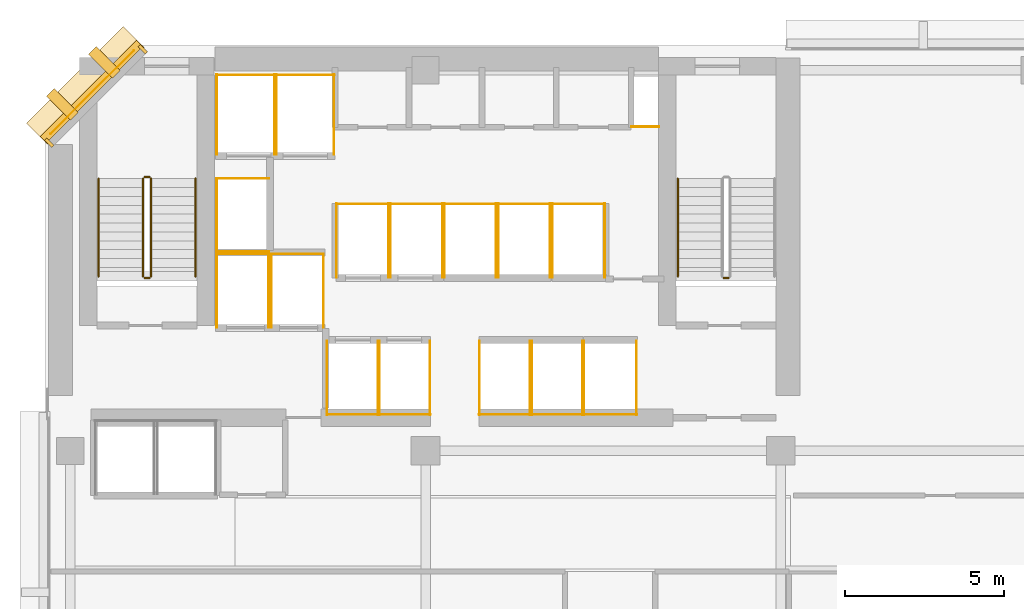
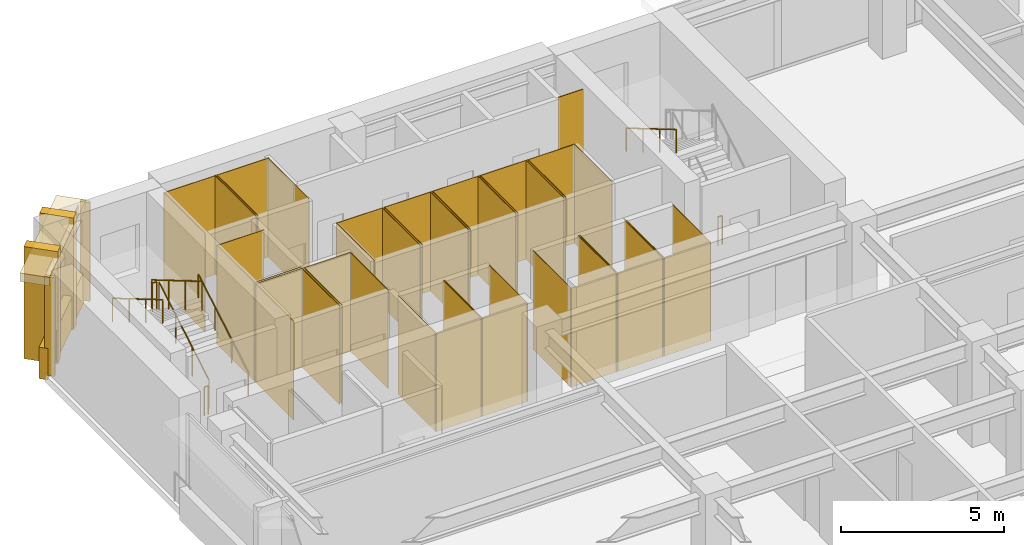
# One storey, part 10 of 12: 53 coverings, 8 railings.
"""IFC4 building model written with IfcOpenShell, lengths in metres."""

from ifc_helpers import new_model, si_unit, direction, frame, origin, origin_2d, place, context, subcontext, project, spatial, polyline, rectangle, circle, outline, extrude, material, layer, layer_set, type_object, element, save


model = new_model("IFC4")

# Units and contexts
model_context = context("Model", 3, precision=1e-05, world=origin(), true_north=direction((0.0, 1.0)))
body_context = subcontext(model_context, "Body", "Model", "MODEL_VIEW")
ifc_project = project(units=[si_unit("LENGTHUNIT", "METRE"), si_unit("AREAUNIT", "SQUARE_METRE"), si_unit("VOLUMEUNIT", "CUBIC_METRE"), si_unit("PLANEANGLEUNIT", "RADIAN"), si_unit("MASSUNIT", "GRAM", prefix="KILO")], contexts=[model_context])

# Site, building, storey
site_placement = place(None, origin())
site = spatial("IfcSite", under=ifc_project, at=site_placement, CompositionType="ELEMENT")
building_placement = place(site_placement, origin())
building = spatial("IfcBuilding", under=site, at=building_placement, Name="Kefirva Bronze Tower", CompositionType="ELEMENT")
storey_placement = place(building_placement, frame((0.0, 0.0, 118.469970703125)))
storey = spatial("IfcBuildingStorey", under=building, at=storey_placement, Name="L28", CompositionType="ELEMENT", Elevation=118.469970703125)

# Coverings
ifc_material_1 = material(Name="Bronze anodised aluminium", Category="aluminium")
ifc_layer_1 = layer(ifc_material_1, 0.02001953125, Name="Bronze anodised aluminium")
ifc_layer_set_1 = layer_set([ifc_layer_1], Name="Bronze anodised aluminium")
covering_type_1 = type_object("IfcCoveringType", Name="Anodised Bronze Spandrel Cladding 20mm", PredefinedType="CLADDING", material=ifc_layer_set_1)
covering_1_placement = place(storey_placement, frame((1.492919921875, 44.507080078125, 3.2900390625), z_axis=(0.0, 0.0, 1.0), x_axis=(-0.707106781187, -0.707106781187, 0.0)))
element("IfcCovering", 1, at=covering_1_placement, inside=storey, type_object=covering_type_1, Name="L28 Bronze Spandrel Cladding 8", PredefinedType="CLADDING", context=body_context, shape_type="SweptSolid", body=[
    extrude(rectangle(XDim=3.719482421875, YDim=0.02001953125, at=origin_2d()), origin(), (0.0, 0.0, 1.0), 0.39990234375),
])
for number, where, z_axis, x_axis, name in (
    (2, (3.08837890625, 45.862060546875, 0.0), (0.0, 0.0, 1.0), (-0.707106781187, -0.707106781187, 0.0), "L28 Facade Joint Closure Panel 8S"),
    (3, (0.137939453125, 42.91162109375, 0.0), (0.0, 0.0, 1.0), (-0.707106781187, -0.707106781187, 0.0), "L28 Facade Joint Closure Panel 8E"),
):
    element("IfcCovering", number, at=place(storey_placement, frame(where, z_axis=z_axis, x_axis=x_axis)), inside=storey, type_object=covering_type_1, Name=name, PredefinedType="CLADDING", context=body_context, shape_type="SweptSolid", body=[
        extrude(rectangle(XDim=0.10009765625, YDim=0.320068359375, at=origin_2d()), origin(), (0.0, 0.0, 1.0), 3.7099609375),
    ])
covering_2_placement = place(storey_placement, frame((1.4716796875, 44.5283203125, -0.16015625), z_axis=(0.0, 0.0, 1.0), x_axis=(-0.707106781187, -0.707106781187, 0.0)))
element("IfcCovering", 4, at=covering_2_placement, inside=storey, type_object=covering_type_1, Name="L28 Streamline Horizontal Spandrel Band 13", PredefinedType="CLADDING", context=body_context, shape_type="SweptSolid", body=[
    extrude(rectangle(XDim=4.28271484375, YDim=0.280029296875, at=origin_2d()), origin(), (0.0, 0.0, 1.0), 1.179931640625),
])
covering_3_placement = place(storey_placement, origin())
element("IfcCovering", 5, at=covering_3_placement, inside=storey, type_object=covering_type_1, Name="L28 Lift FF1 Hoistway Liner N", PredefinedType="CLADDING", context=body_context, shape_type="SweptSolid", body=[
    extrude(outline(polyline([(5.39990234375, 39.389892578125), (7.080078125, 39.389892578125), (7.080078125, 39.409912109375), (5.39990234375, 39.409912109375), (5.39990234375, 39.389892578125)])), origin(), (0.0, 0.0, 1.0), 3.7099609375),
])
covering_4_placement = place(storey_placement, origin())
element("IfcCovering", 6, at=covering_4_placement, inside=storey, type_object=covering_type_1, Name="L28 Lift FF1 Hoistway Liner W", PredefinedType="CLADDING", context=body_context, shape_type="SweptSolid", body=[
    extrude(outline(polyline([(5.409912109375, 37.080078125), (5.429931640625, 37.080078125), (5.429931640625, 39.419921875), (5.409912109375, 39.419921875), (5.409912109375, 37.080078125)])), origin(), (0.0, 0.0, 1.0), 3.7099609375),
])
covering_5_placement = place(storey_placement, origin())
element("IfcCovering", 7, at=covering_5_placement, inside=storey, type_object=covering_type_1, Name="L28 Lift FF1 Hoistway Liner E", PredefinedType="CLADDING", context=body_context, shape_type="SweptSolid", body=[
    extrude(outline(polyline([(7.050048828125, 37.080078125), (7.070068359375, 37.080078125), (7.070068359375, 39.419921875), (7.050048828125, 39.419921875), (7.050048828125, 37.080078125)])), origin(), (0.0, 0.0, 1.0), 3.7099609375),
])
covering_6_placement = place(storey_placement, origin())
element("IfcCovering", 8, at=covering_6_placement, inside=storey, type_object=covering_type_1, Name="L28 Lift FF2 Hoistway Liner N", PredefinedType="CLADDING", context=body_context, shape_type="SweptSolid", body=[
    extrude(outline(polyline([(7.1201171875, 39.389892578125), (8.800048828125, 39.389892578125), (8.800048828125, 39.409912109375), (7.1201171875, 39.409912109375), (7.1201171875, 39.389892578125)])), origin(), (0.0, 0.0, 1.0), 3.7099609375),
])
covering_7_placement = place(storey_placement, origin())
element("IfcCovering", 9, at=covering_7_placement, inside=storey, type_object=covering_type_1, Name="L28 Lift FF2 Hoistway Liner W", PredefinedType="CLADDING", context=body_context, shape_type="SweptSolid", body=[
    extrude(outline(polyline([(7.1298828125, 37.080078125), (7.14990234375, 37.080078125), (7.14990234375, 39.419921875), (7.1298828125, 39.419921875), (7.1298828125, 37.080078125)])), origin(), (0.0, 0.0, 1.0), 3.7099609375),
])
covering_8_placement = place(storey_placement, origin())
element("IfcCovering", 10, at=covering_8_placement, inside=storey, type_object=covering_type_1, Name="L28 Lift FF2 Hoistway Liner E", PredefinedType="CLADDING", context=body_context, shape_type="SweptSolid", body=[
    extrude(outline(polyline([(8.77001953125, 37.080078125), (8.7900390625, 37.080078125), (8.7900390625, 39.419921875), (8.77001953125, 39.419921875), (8.77001953125, 37.080078125)])), origin(), (0.0, 0.0, 1.0), 3.7099609375),
])
covering_9_placement = place(storey_placement, origin())
element("IfcCovering", 11, at=covering_9_placement, inside=storey, type_object=covering_type_1, Name="L28 Lift SV1 Hoistway Liner N", PredefinedType="CLADDING", context=body_context, shape_type="SweptSolid", body=[
    extrude(outline(polyline([(5.39990234375, 45.0400390625), (7.260009765625, 45.0400390625), (7.260009765625, 45.06005859375), (5.39990234375, 45.06005859375), (5.39990234375, 45.0400390625)])), origin(), (0.0, 0.0, 1.0), 3.7099609375),
])
covering_10_placement = place(storey_placement, origin())
element("IfcCovering", 12, at=covering_10_placement, inside=storey, type_object=covering_type_1, Name="L28 Lift SV1 Hoistway Liner W", PredefinedType="CLADDING", context=body_context, shape_type="SweptSolid", body=[
    extrude(outline(polyline([(5.409912109375, 42.530029296875), (5.429931640625, 42.530029296875), (5.429931640625, 45.070068359375), (5.409912109375, 45.070068359375), (5.409912109375, 42.530029296875)])), origin(), (0.0, 0.0, 1.0), 3.7099609375),
])
covering_11_placement = place(storey_placement, origin())
element("IfcCovering", 13, at=covering_11_placement, inside=storey, type_object=covering_type_1, Name="L28 Lift SV1 Hoistway Liner E", PredefinedType="CLADDING", context=body_context, shape_type="SweptSolid", body=[
    extrude(outline(polyline([(7.22998046875, 42.530029296875), (7.25, 42.530029296875), (7.25, 45.070068359375), (7.22998046875, 45.070068359375), (7.22998046875, 42.530029296875)])), origin(), (0.0, 0.0, 1.0), 3.7099609375),
])
covering_12_placement = place(storey_placement, origin())
element("IfcCovering", 14, at=covering_12_placement, inside=storey, type_object=covering_type_1, Name="L28 Lift SV2 Hoistway Liner N", PredefinedType="CLADDING", context=body_context, shape_type="SweptSolid", body=[
    extrude(outline(polyline([(7.280029296875, 45.0400390625), (9.139892578125, 45.0400390625), (9.139892578125, 45.06005859375), (7.280029296875, 45.06005859375), (7.280029296875, 45.0400390625)])), origin(), (0.0, 0.0, 1.0), 3.7099609375),
])
covering_13_placement = place(storey_placement, origin())
element("IfcCovering", 15, at=covering_13_placement, inside=storey, type_object=covering_type_1, Name="L28 Lift SV2 Hoistway Liner W", PredefinedType="CLADDING", context=body_context, shape_type="SweptSolid", body=[
    extrude(outline(polyline([(7.2900390625, 42.530029296875), (7.31005859375, 42.530029296875), (7.31005859375, 45.070068359375), (7.2900390625, 45.070068359375), (7.2900390625, 42.530029296875)])), origin(), (0.0, 0.0, 1.0), 3.7099609375),
])
covering_14_placement = place(storey_placement, origin())
element("IfcCovering", 16, at=covering_14_placement, inside=storey, type_object=covering_type_1, Name="L28 Lift SV2 Hoistway Liner E", PredefinedType="CLADDING", context=body_context, shape_type="SweptSolid", body=[
    extrude(outline(polyline([(9.110107421875, 42.530029296875), (9.1298828125, 42.530029296875), (9.1298828125, 45.070068359375), (9.110107421875, 45.070068359375), (9.110107421875, 42.530029296875)])), origin(), (0.0, 0.0, 1.0), 3.7099609375),
])
covering_15_placement = place(storey_placement, origin())
element("IfcCovering", 17, at=covering_15_placement, inside=storey, type_object=covering_type_1, Name="L28 Lift LP1 Hoistway Liner S", PredefinedType="CLADDING", context=body_context, shape_type="SweptSolid", body=[
    extrude(outline(polyline([(8.8798828125, 34.340087890625), (10.52001953125, 34.340087890625), (10.52001953125, 34.360107421875), (8.8798828125, 34.360107421875), (8.8798828125, 34.340087890625)])), origin(), (0.0, 0.0, 1.0), 3.7099609375),
])
covering_16_placement = place(storey_placement, origin())
element("IfcCovering", 18, at=covering_16_placement, inside=storey, type_object=covering_type_1, Name="L28 Lift LP1 Hoistway Liner W", PredefinedType="CLADDING", context=body_context, shape_type="SweptSolid", body=[
    extrude(outline(polyline([(8.889892578125, 34.330078125), (8.909912109375, 34.330078125), (8.909912109375, 36.669921875), (8.889892578125, 36.669921875), (8.889892578125, 34.330078125)])), origin(), (0.0, 0.0, 1.0), 3.7099609375),
])
covering_17_placement = place(storey_placement, origin())
element("IfcCovering", 19, at=covering_17_placement, inside=storey, type_object=covering_type_1, Name="L28 Lift LP1 Hoistway Liner E", PredefinedType="CLADDING", context=body_context, shape_type="SweptSolid", body=[
    extrude(outline(polyline([(10.489990234375, 34.330078125), (10.510009765625, 34.330078125), (10.510009765625, 36.669921875), (10.489990234375, 36.669921875), (10.489990234375, 34.330078125)])), origin(), (0.0, 0.0, 1.0), 3.7099609375),
])
covering_18_placement = place(storey_placement, origin())
element("IfcCovering", 20, at=covering_18_placement, inside=storey, type_object=covering_type_1, Name="L28 Lift LP2 Hoistway Liner S", PredefinedType="CLADDING", context=body_context, shape_type="SweptSolid", body=[
    extrude(outline(polyline([(10.52001953125, 34.340087890625), (12.159912109375, 34.340087890625), (12.159912109375, 34.360107421875), (10.52001953125, 34.360107421875), (10.52001953125, 34.340087890625)])), origin(), (0.0, 0.0, 1.0), 3.7099609375),
])
covering_19_placement = place(storey_placement, origin())
element("IfcCovering", 21, at=covering_19_placement, inside=storey, type_object=covering_type_1, Name="L28 Lift LP2 Hoistway Liner W", PredefinedType="CLADDING", context=body_context, shape_type="SweptSolid", body=[
    extrude(outline(polyline([(10.530029296875, 34.330078125), (10.550048828125, 34.330078125), (10.550048828125, 36.669921875), (10.530029296875, 36.669921875), (10.530029296875, 34.330078125)])), origin(), (0.0, 0.0, 1.0), 3.7099609375),
])
covering_20_placement = place(storey_placement, origin())
element("IfcCovering", 22, at=covering_20_placement, inside=storey, type_object=covering_type_1, Name="L28 Lift LP2 Hoistway Liner E", PredefinedType="CLADDING", context=body_context, shape_type="SweptSolid", body=[
    extrude(outline(polyline([(12.1298828125, 34.330078125), (12.14990234375, 34.330078125), (12.14990234375, 36.669921875), (12.1298828125, 36.669921875), (12.1298828125, 34.330078125)])), origin(), (0.0, 0.0, 1.0), 3.7099609375),
])
covering_21_placement = place(storey_placement, origin())
element("IfcCovering", 23, at=covering_21_placement, inside=storey, type_object=covering_type_1, Name="L28 Lift LP3 Hoistway Liner N", PredefinedType="CLADDING", context=body_context, shape_type="SweptSolid", body=[
    extrude(outline(polyline([(9.179931640625, 40.969970703125), (10.85009765625, 40.969970703125), (10.85009765625, 40.989990234375), (9.179931640625, 40.989990234375), (9.179931640625, 40.969970703125)])), origin(), (0.0, 0.0, 1.0), 3.7099609375),
])
covering_22_placement = place(storey_placement, origin())
element("IfcCovering", 24, at=covering_22_placement, inside=storey, type_object=covering_type_1, Name="L28 Lift LP3 Hoistway Liner W", PredefinedType="CLADDING", context=body_context, shape_type="SweptSolid", body=[
    extrude(outline(polyline([(9.18994140625, 38.659912109375), (9.2099609375, 38.659912109375), (9.2099609375, 41.0), (9.18994140625, 41.0), (9.18994140625, 38.659912109375)])), origin(), (0.0, 0.0, 1.0), 3.7099609375),
])
covering_23_placement = place(storey_placement, origin())
element("IfcCovering", 25, at=covering_23_placement, inside=storey, type_object=covering_type_1, Name="L28 Lift LP3 Hoistway Liner E", PredefinedType="CLADDING", context=body_context, shape_type="SweptSolid", body=[
    extrude(outline(polyline([(10.820068359375, 38.659912109375), (10.840087890625, 38.659912109375), (10.840087890625, 41.0), (10.820068359375, 41.0), (10.820068359375, 38.659912109375)])), origin(), (0.0, 0.0, 1.0), 3.7099609375),
])
covering_24_placement = place(storey_placement, origin())
element("IfcCovering", 26, at=covering_24_placement, inside=storey, type_object=covering_type_1, Name="L28 Lift LP4 Hoistway Liner N", PredefinedType="CLADDING", context=body_context, shape_type="SweptSolid", body=[
    extrude(outline(polyline([(10.8798828125, 40.969970703125), (12.550048828125, 40.969970703125), (12.550048828125, 40.989990234375), (10.8798828125, 40.989990234375), (10.8798828125, 40.969970703125)])), origin(), (0.0, 0.0, 1.0), 3.7099609375),
])
covering_25_placement = place(storey_placement, origin())
element("IfcCovering", 27, at=covering_25_placement, inside=storey, type_object=covering_type_1, Name="L28 Lift LP4 Hoistway Liner W", PredefinedType="CLADDING", context=body_context, shape_type="SweptSolid", body=[
    extrude(outline(polyline([(10.889892578125, 38.659912109375), (10.909912109375, 38.659912109375), (10.909912109375, 41.0), (10.889892578125, 41.0), (10.889892578125, 38.659912109375)])), origin(), (0.0, 0.0, 1.0), 3.7099609375),
])
covering_26_placement = place(storey_placement, origin())
element("IfcCovering", 28, at=covering_26_placement, inside=storey, type_object=covering_type_1, Name="L28 Lift LP4 Hoistway Liner E", PredefinedType="CLADDING", context=body_context, shape_type="SweptSolid", body=[
    extrude(outline(polyline([(12.52001953125, 38.659912109375), (12.5400390625, 38.659912109375), (12.5400390625, 41.0), (12.52001953125, 41.0), (12.52001953125, 38.659912109375)])), origin(), (0.0, 0.0, 1.0), 3.7099609375),
])
covering_27_placement = place(storey_placement, origin())
element("IfcCovering", 29, at=covering_27_placement, inside=storey, type_object=covering_type_1, Name="L28 Lift MP1 Hoistway Liner S", PredefinedType="CLADDING", context=body_context, shape_type="SweptSolid", body=[
    extrude(outline(polyline([(13.679931640625, 34.340087890625), (15.320068359375, 34.340087890625), (15.320068359375, 34.360107421875), (13.679931640625, 34.360107421875), (13.679931640625, 34.340087890625)])), origin(), (0.0, 0.0, 1.0), 3.7099609375),
])
covering_28_placement = place(storey_placement, origin())
element("IfcCovering", 30, at=covering_28_placement, inside=storey, type_object=covering_type_1, Name="L28 Lift MP1 Hoistway Liner W", PredefinedType="CLADDING", context=body_context, shape_type="SweptSolid", body=[
    extrude(outline(polyline([(13.68994140625, 34.330078125), (13.7099609375, 34.330078125), (13.7099609375, 36.669921875), (13.68994140625, 36.669921875), (13.68994140625, 34.330078125)])), origin(), (0.0, 0.0, 1.0), 3.7099609375),
])
covering_29_placement = place(storey_placement, origin())
element("IfcCovering", 31, at=covering_29_placement, inside=storey, type_object=covering_type_1, Name="L28 Lift MP1 Hoistway Liner E", PredefinedType="CLADDING", context=body_context, shape_type="SweptSolid", body=[
    extrude(outline(polyline([(15.2900390625, 34.330078125), (15.31005859375, 34.330078125), (15.31005859375, 36.669921875), (15.2900390625, 36.669921875), (15.2900390625, 34.330078125)])), origin(), (0.0, 0.0, 1.0), 3.7099609375),
])
covering_30_placement = place(storey_placement, origin())
element("IfcCovering", 32, at=covering_30_placement, inside=storey, type_object=covering_type_1, Name="L28 Lift MP2 Hoistway Liner S", PredefinedType="CLADDING", context=body_context, shape_type="SweptSolid", body=[
    extrude(outline(polyline([(15.330078125, 34.340087890625), (16.969970703125, 34.340087890625), (16.969970703125, 34.360107421875), (15.330078125, 34.360107421875), (15.330078125, 34.340087890625)])), origin(), (0.0, 0.0, 1.0), 3.7099609375),
])
covering_31_placement = place(storey_placement, origin())
element("IfcCovering", 33, at=covering_31_placement, inside=storey, type_object=covering_type_1, Name="L28 Lift MP2 Hoistway Liner W", PredefinedType="CLADDING", context=body_context, shape_type="SweptSolid", body=[
    extrude(outline(polyline([(15.340087890625, 34.330078125), (15.360107421875, 34.330078125), (15.360107421875, 36.669921875), (15.340087890625, 36.669921875), (15.340087890625, 34.330078125)])), origin(), (0.0, 0.0, 1.0), 3.7099609375),
])
covering_32_placement = place(storey_placement, origin())
element("IfcCovering", 34, at=covering_32_placement, inside=storey, type_object=covering_type_1, Name="L28 Lift MP2 Hoistway Liner E", PredefinedType="CLADDING", context=body_context, shape_type="SweptSolid", body=[
    extrude(outline(polyline([(16.93994140625, 34.330078125), (16.9599609375, 34.330078125), (16.9599609375, 36.669921875), (16.93994140625, 36.669921875), (16.93994140625, 34.330078125)])), origin(), (0.0, 0.0, 1.0), 3.7099609375),
])
covering_33_placement = place(storey_placement, origin())
element("IfcCovering", 35, at=covering_33_placement, inside=storey, type_object=covering_type_1, Name="L28 Lift MP3 Hoistway Liner N", PredefinedType="CLADDING", context=body_context, shape_type="SweptSolid", body=[
    extrude(outline(polyline([(12.580078125, 40.969970703125), (14.25, 40.969970703125), (14.25, 40.989990234375), (12.580078125, 40.989990234375), (12.580078125, 40.969970703125)])), origin(), (0.0, 0.0, 1.0), 3.7099609375),
])
covering_34_placement = place(storey_placement, origin())
element("IfcCovering", 36, at=covering_34_placement, inside=storey, type_object=covering_type_1, Name="L28 Lift MP3 Hoistway Liner W", PredefinedType="CLADDING", context=body_context, shape_type="SweptSolid", body=[
    extrude(outline(polyline([(12.590087890625, 38.659912109375), (12.610107421875, 38.659912109375), (12.610107421875, 41.0), (12.590087890625, 41.0), (12.590087890625, 38.659912109375)])), origin(), (0.0, 0.0, 1.0), 3.7099609375),
])
covering_35_placement = place(storey_placement, origin())
element("IfcCovering", 37, at=covering_35_placement, inside=storey, type_object=covering_type_1, Name="L28 Lift MP3 Hoistway Liner E", PredefinedType="CLADDING", context=body_context, shape_type="SweptSolid", body=[
    extrude(outline(polyline([(14.219970703125, 38.659912109375), (14.239990234375, 38.659912109375), (14.239990234375, 41.0), (14.219970703125, 41.0), (14.219970703125, 38.659912109375)])), origin(), (0.0, 0.0, 1.0), 3.7099609375),
])
covering_36_placement = place(storey_placement, origin())
element("IfcCovering", 38, at=covering_36_placement, inside=storey, type_object=covering_type_1, Name="L28 Lift MP4 Hoistway Liner N", PredefinedType="CLADDING", context=body_context, shape_type="SweptSolid", body=[
    extrude(outline(polyline([(14.280029296875, 40.969970703125), (15.949951171875, 40.969970703125), (15.949951171875, 40.989990234375), (14.280029296875, 40.989990234375), (14.280029296875, 40.969970703125)])), origin(), (0.0, 0.0, 1.0), 3.7099609375),
])
covering_37_placement = place(storey_placement, origin())
element("IfcCovering", 39, at=covering_37_placement, inside=storey, type_object=covering_type_1, Name="L28 Lift MP4 Hoistway Liner W", PredefinedType="CLADDING", context=body_context, shape_type="SweptSolid", body=[
    extrude(outline(polyline([(14.2900390625, 38.659912109375), (14.31005859375, 38.659912109375), (14.31005859375, 41.0), (14.2900390625, 41.0), (14.2900390625, 38.659912109375)])), origin(), (0.0, 0.0, 1.0), 3.7099609375),
])
covering_38_placement = place(storey_placement, origin())
element("IfcCovering", 40, at=covering_38_placement, inside=storey, type_object=covering_type_1, Name="L28 Lift MP4 Hoistway Liner E", PredefinedType="CLADDING", context=body_context, shape_type="SweptSolid", body=[
    extrude(outline(polyline([(15.919921875, 38.659912109375), (15.93994140625, 38.659912109375), (15.93994140625, 41.0), (15.919921875, 41.0), (15.919921875, 38.659912109375)])), origin(), (0.0, 0.0, 1.0), 3.7099609375),
])
covering_39_placement = place(storey_placement, origin())
element("IfcCovering", 41, at=covering_39_placement, inside=storey, type_object=covering_type_1, Name="L28 Lift HP1 Hoistway Liner S", PredefinedType="CLADDING", context=body_context, shape_type="SweptSolid", body=[
    extrude(outline(polyline([(16.97998046875, 34.340087890625), (18.669921875, 34.340087890625), (18.669921875, 34.360107421875), (16.97998046875, 34.360107421875), (16.97998046875, 34.340087890625)])), origin(), (0.0, 0.0, 1.0), 3.7099609375),
])
covering_40_placement = place(storey_placement, origin())
element("IfcCovering", 42, at=covering_40_placement, inside=storey, type_object=covering_type_1, Name="L28 Lift HP1 Hoistway Liner W", PredefinedType="CLADDING", context=body_context, shape_type="SweptSolid", body=[
    extrude(outline(polyline([(16.989990234375, 34.330078125), (17.010009765625, 34.330078125), (17.010009765625, 36.669921875), (16.989990234375, 36.669921875), (16.989990234375, 34.330078125)])), origin(), (0.0, 0.0, 1.0), 3.7099609375),
])
covering_41_placement = place(storey_placement, origin())
element("IfcCovering", 43, at=covering_41_placement, inside=storey, type_object=covering_type_1, Name="L28 Lift HP1 Hoistway Liner E", PredefinedType="CLADDING", context=body_context, shape_type="SweptSolid", body=[
    extrude(outline(polyline([(18.639892578125, 34.330078125), (18.659912109375, 34.330078125), (18.659912109375, 36.669921875), (18.639892578125, 36.669921875), (18.639892578125, 34.330078125)])), origin(), (0.0, 0.0, 1.0), 3.7099609375),
])
covering_42_placement = place(storey_placement, origin())
element("IfcCovering", 44, at=covering_42_placement, inside=storey, type_object=covering_type_1, Name="L28 Lift HP2 Hoistway Liner N", PredefinedType="CLADDING", context=body_context, shape_type="SweptSolid", body=[
    extrude(outline(polyline([(15.97998046875, 40.969970703125), (17.669921875, 40.969970703125), (17.669921875, 40.989990234375), (15.97998046875, 40.989990234375), (15.97998046875, 40.969970703125)])), origin(), (0.0, 0.0, 1.0), 3.7099609375),
])
covering_43_placement = place(storey_placement, origin())
element("IfcCovering", 45, at=covering_43_placement, inside=storey, type_object=covering_type_1, Name="L28 Lift HP2 Hoistway Liner W", PredefinedType="CLADDING", context=body_context, shape_type="SweptSolid", body=[
    extrude(outline(polyline([(15.989990234375, 38.659912109375), (16.010009765625, 38.659912109375), (16.010009765625, 41.0), (15.989990234375, 41.0), (15.989990234375, 38.659912109375)])), origin(), (0.0, 0.0, 1.0), 3.7099609375),
])
covering_44_placement = place(storey_placement, origin())
element("IfcCovering", 46, at=covering_44_placement, inside=storey, type_object=covering_type_1, Name="L28 Lift HP2 Hoistway Liner E", PredefinedType="CLADDING", context=body_context, shape_type="SweptSolid", body=[
    extrude(outline(polyline([(17.639892578125, 38.659912109375), (17.659912109375, 38.659912109375), (17.659912109375, 41.0), (17.639892578125, 41.0), (17.639892578125, 38.659912109375)])), origin(), (0.0, 0.0, 1.0), 3.7099609375),
])
covering_45_placement = place(storey_placement, origin())
element("IfcCovering", 47, at=covering_45_placement, inside=storey, type_object=covering_type_1, Name="L28 Lift HP3 Hoistway Liner N", PredefinedType="CLADDING", context=body_context, shape_type="SweptSolid", body=[
    extrude(outline(polyline([(5.39990234375, 41.77001953125), (7.080078125, 41.77001953125), (7.080078125, 41.7900390625), (5.39990234375, 41.7900390625), (5.39990234375, 41.77001953125)])), origin(), (0.0, 0.0, 1.0), 3.7099609375),
])
covering_46_placement = place(storey_placement, origin())
element("IfcCovering", 48, at=covering_46_placement, inside=storey, type_object=covering_type_1, Name="L28 Lift HP3 Hoistway Liner S", PredefinedType="CLADDING", context=body_context, shape_type="SweptSolid", body=[
    extrude(outline(polyline([(5.39990234375, 39.469970703125), (7.080078125, 39.469970703125), (7.080078125, 39.489990234375), (5.39990234375, 39.489990234375), (5.39990234375, 39.469970703125)])), origin(), (0.0, 0.0, 1.0), 3.7099609375),
])
covering_47_placement = place(storey_placement, origin())
element("IfcCovering", 49, at=covering_47_placement, inside=storey, type_object=covering_type_1, Name="L28 Lift HP3 Hoistway Liner W", PredefinedType="CLADDING", context=body_context, shape_type="SweptSolid", body=[
    extrude(outline(polyline([(5.409912109375, 39.4599609375), (5.429931640625, 39.4599609375), (5.429931640625, 41.800048828125), (5.409912109375, 41.800048828125), (5.409912109375, 39.4599609375)])), origin(), (0.0, 0.0, 1.0), 3.7099609375),
])
covering_48_placement = place(storey_placement, origin())
element("IfcCovering", 50, at=covering_48_placement, inside=storey, type_object=covering_type_1, Name="L28 Core MEP Riser Shaft Liner South", PredefinedType="CLADDING", context=body_context, shape_type="SweptSolid", body=[
    extrude(outline(polyline([(18.47998046875, 43.39990234375), (19.360107421875, 43.39990234375), (19.360107421875, 43.429931640625), (18.47998046875, 43.429931640625), (18.47998046875, 43.39990234375)])), origin(), (0.0, 0.0, 1.0), 3.7099609375),
])

# Railings
ifc_material_2 = material(Name="Stainless steel 316", Category="steel")
railing_type_1 = type_object("IfcRailingType", Name="Interior Stair Guardrail 1100mm", PredefinedType="GUARDRAIL", material=ifc_material_2)
railing_1_placement = place(storey_placement, frame((3.35009765625, 38.699951171875, 0.1650390625)))
element("IfcRailing", 51, at=railing_1_placement, inside=storey, type_object=railing_type_1, Name="L28 ST-1 stair guard 1", PredefinedType="GUARDRAIL", context=body_context, shape_type="SweptSolid", body=[
    extrude(circle(Radius=0.02392578125, at=origin_2d()), frame((0.0, 0.0, 1.076171875), z_axis=(0.0, 0.861551262678, 0.507670583921), x_axis=(-1.0, 0.0, 0.0)), (0.0, 0.0, 1.0), 3.574951171875),
    extrude(circle(Radius=0.02099609375, at=origin_2d()), origin(), (0.0, 0.0, 1.0), 1.052001953125),
    extrude(circle(Radius=0.02099609375, at=origin_2d()), frame((0.0, 1.026611328125, 0.60498046875)), (0.0, 0.0, 1.0), 1.052001953125),
    extrude(circle(Radius=0.02099609375, at=origin_2d()), frame((0.0, 2.053466796875, 1.2099609375)), (0.0, 0.0, 1.0), 1.052001953125),
    extrude(circle(Radius=0.02099609375, at=origin_2d()), frame((0.0, 3.080078125, 1.81494140625)), (0.0, 0.0, 1.0), 1.052001953125),
])
railing_2_placement = place(storey_placement, frame((3.300048828125, 41.830078125, 1.97998046875)))
element("IfcRailing", 52, at=railing_2_placement, inside=storey, type_object=railing_type_1, Name="L28 ST-1 stair guard 2", PredefinedType="GUARDRAIL", context=body_context, shape_type="SweptSolid", body=[
    extrude(circle(Radius=0.02392578125, at=origin_2d()), frame((0.0, 0.0, 1.076171875), z_axis=(-1.0, 0.0, 0.0), x_axis=(0.0, -1.0, 0.0)), (0.0, 0.0, 1.0), 0.150146484375),
    extrude(circle(Radius=0.02099609375, at=origin_2d()), origin(), (0.0, 0.0, 1.0), 1.052001953125),
    extrude(circle(Radius=0.02099609375, at=origin_2d()), frame((-0.150146484375, 0.0, 0.0)), (0.0, 0.0, 1.0), 1.052001953125),
])
railing_3_placement = place(storey_placement, frame((3.10009765625, 41.780029296875, 2.14501953125)))
element("IfcRailing", 53, at=railing_3_placement, inside=storey, type_object=railing_type_1, Name="L28 ST-1 stair guard 3", PredefinedType="GUARDRAIL", context=body_context, shape_type="SweptSolid", body=[
    extrude(circle(Radius=0.02392578125, at=origin_2d()), frame((0.0, 0.0, 1.076171875), z_axis=(0.0, -0.861551262678, 0.507670583921), x_axis=(1.0, 0.0, 0.0)), (0.0, 0.0, 1.0), 3.574951171875),
    extrude(circle(Radius=0.02099609375, at=origin_2d()), origin(), (0.0, 0.0, 1.0), 1.052001953125),
    extrude(circle(Radius=0.02099609375, at=origin_2d()), frame((0.0, -1.026611328125, 0.60498046875)), (0.0, 0.0, 1.0), 1.052001953125),
    extrude(circle(Radius=0.02099609375, at=origin_2d()), frame((0.0, -2.053466796875, 1.2099609375)), (0.0, 0.0, 1.0), 1.052001953125),
    extrude(circle(Radius=0.02099609375, at=origin_2d()), frame((0.0, -3.080078125, 1.81494140625)), (0.0, 0.0, 1.0), 1.052001953125),
])
for number, where, name in (
    (54, (3.300048828125, 38.64990234375, 0.0), "L28 ST-1 stair guard 4"),
    (55, (21.550048828125, 38.64990234375, 0.0), "L28 ST-2 stair guard 4"),
):
    element("IfcRailing", number, at=place(storey_placement, frame(where)), inside=storey, type_object=railing_type_1, Name=name, PredefinedType="GUARDRAIL", context=body_context, shape_type="SweptSolid", body=[
        extrude(circle(Radius=0.02392578125, at=origin_2d()), frame((0.0, 0.0, 1.076171875), z_axis=(-1.0, 0.0, 0.0), x_axis=(0.0, -1.0, 0.0)), (0.0, 0.0, 1.0), 0.150146484375),
        extrude(circle(Radius=0.02099609375, at=origin_2d()), origin(), (0.0, 0.0, 1.0), 1.052001953125),
        extrude(circle(Radius=0.02099609375, at=origin_2d()), frame((-0.150146484375, 0.0, 0.0)), (0.0, 0.0, 1.0), 1.052001953125),
    ])
railing_type_2 = type_object("IfcRailingType", Name="Stair Pitch Handrail 900mm", PredefinedType="HANDRAIL", material=ifc_material_2)
railing_4_placement = place(storey_placement, frame((4.75, 38.699951171875, 0.1650390625)))
element("IfcRailing", 56, at=railing_4_placement, inside=storey, type_object=railing_type_2, Name="L28 ST-1 stair handrail 1", PredefinedType="HANDRAIL", context=body_context, shape_type="SweptSolid", body=[
    extrude(circle(Radius=0.02392578125, at=origin_2d()), frame((0.0, 0.0, 0.8759765625), z_axis=(0.0, 0.861551262678, 0.507670583921), x_axis=(-1.0, 0.0, 0.0)), (0.0, 0.0, 1.0), 3.574951171875),
    extrude(circle(Radius=0.02099609375, at=origin_2d()), origin(), (0.0, 0.0, 1.0), 0.851806640625),
    extrude(circle(Radius=0.02099609375, at=origin_2d()), frame((0.0, 1.026611328125, 0.60498046875)), (0.0, 0.0, 1.0), 0.851806640625),
    extrude(circle(Radius=0.02099609375, at=origin_2d()), frame((0.0, 2.053466796875, 1.2099609375)), (0.0, 0.0, 1.0), 0.851806640625),
    extrude(circle(Radius=0.02099609375, at=origin_2d()), frame((0.0, 3.080078125, 1.81494140625)), (0.0, 0.0, 1.0), 0.851806640625),
])
for number, where, name in (
    (57, (1.699951171875, 41.780029296875, 2.14501953125), "L28 ST-1 stair handrail 2"),
    (58, (19.949951171875, 41.780029296875, 2.14501953125), "L28 ST-2 stair handrail 2"),
):
    element("IfcRailing", number, at=place(storey_placement, frame(where)), inside=storey, type_object=railing_type_2, Name=name, PredefinedType="HANDRAIL", context=body_context, shape_type="SweptSolid", body=[
        extrude(circle(Radius=0.02392578125, at=origin_2d()), frame((0.0, 0.0, 0.8759765625), z_axis=(0.0, -0.861551262678, 0.507670583921), x_axis=(1.0, 0.0, 0.0)), (0.0, 0.0, 1.0), 3.574951171875),
        extrude(circle(Radius=0.02099609375, at=origin_2d()), origin(), (0.0, 0.0, 1.0), 0.851806640625),
        extrude(circle(Radius=0.02099609375, at=origin_2d()), frame((0.0, -1.026611328125, 0.60498046875)), (0.0, 0.0, 1.0), 0.851806640625),
        extrude(circle(Radius=0.02099609375, at=origin_2d()), frame((0.0, -2.053466796875, 1.2099609375)), (0.0, 0.0, 1.0), 0.851806640625),
        extrude(circle(Radius=0.02099609375, at=origin_2d()), frame((0.0, -3.080078125, 1.81494140625)), (0.0, 0.0, 1.0), 0.851806640625),
    ])

# Coverings
ifc_layer_2 = layer(ifc_material_1, 0.179931640625, Name="Bronze anodised aluminium")
ifc_layer_set_2 = layer_set([ifc_layer_2], Name="Bronze anodised aluminium")
covering_type_2 = type_object("IfcCoveringType", Name="Streamline Bronze Sunshade Eyebrow Cladding 180mm", PredefinedType="CLADDING", material=ifc_layer_set_2)
covering_49_placement = place(storey_placement, frame((1.28076171875, 44.71923828125, 3.39013671875), z_axis=(0.0, 0.0, 1.0), x_axis=(-0.707106781187, -0.707106781187, 0.0)))
element("IfcCovering", 59, at=covering_49_placement, inside=storey, type_object=covering_type_2, Name="L28 Streamline Bronze Sunshade Eyebrow 13", PredefinedType="CLADDING", context=body_context, shape_type="SweptSolid", body=[
    extrude(rectangle(XDim=4.322509765625, YDim=0.93994140625, at=origin_2d()), origin(), (0.0, 0.0, 1.0), 0.320068359375),
])
ifc_layer_3 = layer(ifc_material_1, 0.260009765625, Name="Bronze anodised aluminium")
ifc_layer_set_3 = layer_set([ifc_layer_3], Name="Bronze anodised aluminium")
covering_type_3 = type_object("IfcCoveringType", Name="Unbroken Bronze Buttress Fin Cladding 260mm", PredefinedType="CLADDING", material=ifc_layer_set_3)
for number, where, z_axis, x_axis, name in (
    (60, (1.877197265625, 45.44287109375, -0.25), (0.0, 0.0, 1.0), (-0.707106781187, -0.707106781187, 0.0), "L28 Chamfered Corner Buttress Fin Cladding 21"),
    (61, (0.55712890625, 44.122802734375, -0.25), (0.0, 0.0, 1.0), (-0.707106781187, -0.707106781187, 0.0), "L28 Chamfered Corner Buttress Fin Cladding 22"),
):
    element("IfcCovering", number, at=place(storey_placement, frame(where, z_axis=z_axis, x_axis=x_axis)), inside=storey, type_object=covering_type_3, Name=name, PredefinedType="CLADDING", context=body_context, shape_type="SweptSolid", body=[
        extrude(rectangle(XDim=0.340087890625, YDim=1.080078125, at=origin_2d()), origin(), (0.0, 0.0, 1.0), 4.2099609375),
    ])

save(model, "model.ifc")
